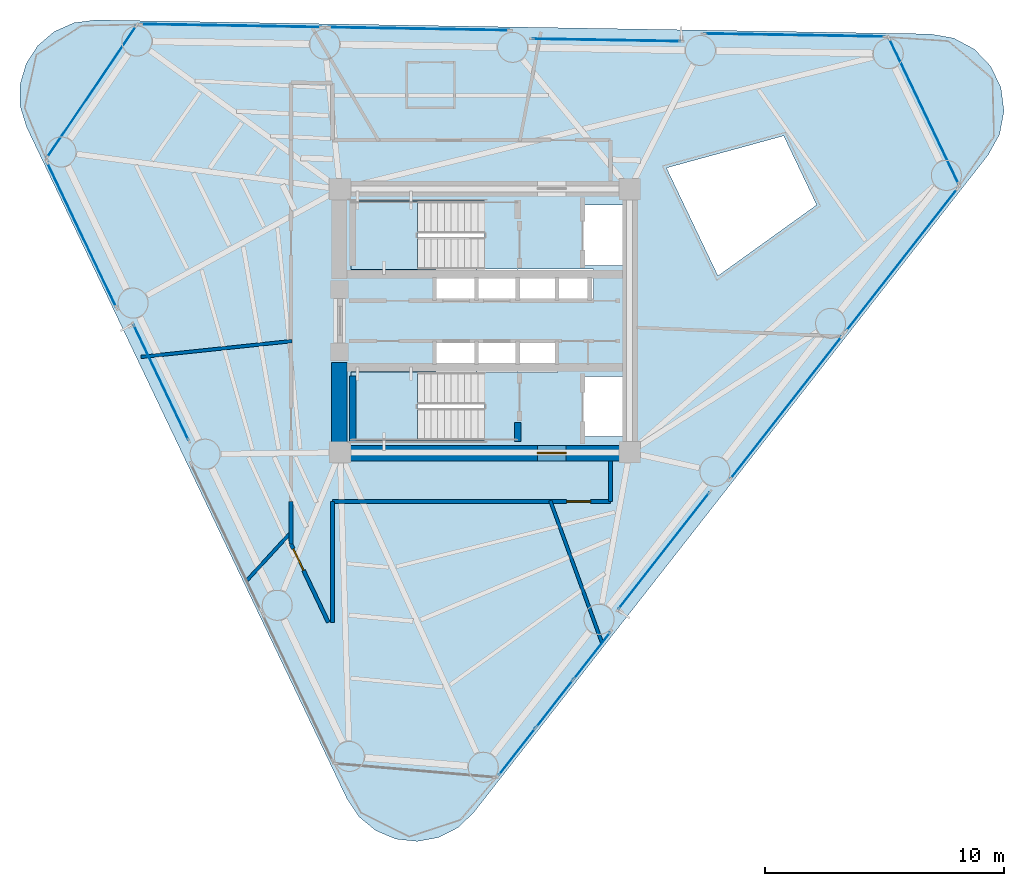
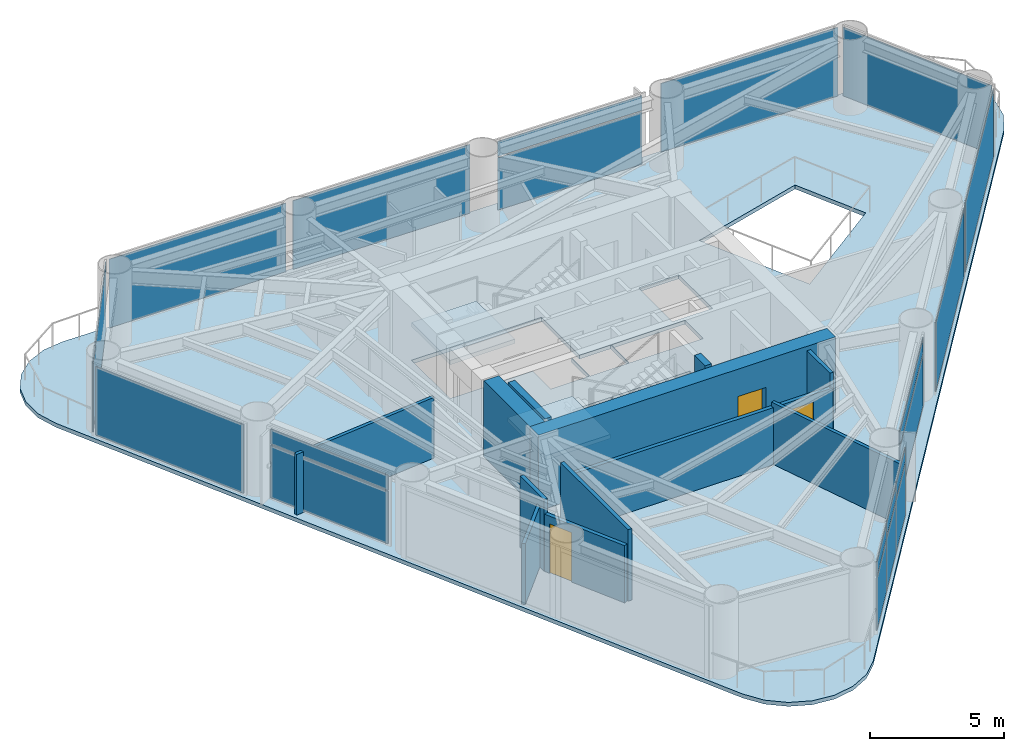
# One storey, part 5 of 10: 20 plates, 12 walls, 3 doors, 3 slabs, 3 openings, 14 elements without a shape of their own.
"""IFC4 building model written with IfcOpenShell, lengths in metres."""

from ifc_helpers import new_model, si_unit, direction, frame, frame_2d, origin, origin_2d, place, context, subcontext, project, spatial, polyline, rectangle, outline, extrude, source, transform, mapped, material, layer, layer_set, type_object, element, fill, aggregate, save


model = new_model("IFC4")

# Units and contexts
model_context = context("Model", 3, precision=1e-05, world=origin(), true_north=direction((0.0, 1.0)))
body_context = subcontext(model_context, "Body", "Model", "MODEL_VIEW")
ifc_project = project(units=[si_unit("LENGTHUNIT", "METRE"), si_unit("AREAUNIT", "SQUARE_METRE"), si_unit("VOLUMEUNIT", "CUBIC_METRE"), si_unit("PLANEANGLEUNIT", "RADIAN"), si_unit("MASSUNIT", "GRAM", prefix="KILO")], contexts=[model_context])

# Site, building, storey
site_placement = place(None, origin())
site = spatial("IfcSite", under=ifc_project, at=site_placement, CompositionType="ELEMENT")
building_placement = place(site_placement, origin())
building = spatial("IfcBuilding", under=site, at=building_placement, Name="Yunling Apex Tower", CompositionType="ELEMENT")
storey_placement = place(building_placement, frame((0.0, 0.0, 136.39990234375)))
storey = spatial("IfcBuildingStorey", under=building, at=storey_placement, Name="L33", CompositionType="ELEMENT", Elevation=136.39990234375)

# Slab
ifc_material_1 = material(Name="Concrete C40", Category="concrete")
ifc_layer_1 = layer(ifc_material_1, 0.1650390625)
ifc_layer_set_1 = layer_set([ifc_layer_1], Name="Concrete C40")
slab_type_1 = type_object("IfcSlabType", Name="SL-FLR-2", PredefinedType="FLOOR", material=ifc_layer_set_1)
slab_1_placement = place(storey_placement, frame((0.0, 0.0, -0.179931640625)))
element("IfcSlab", 1, at=slab_1_placement, inside=storey, type_object=slab_type_1, Name="L33 Composite Tower Floor Slab", PredefinedType="FLOOR", context=body_context, shape_type="SweptSolid", body=[
    extrude(outline(polyline([(-5.759765625, -19.970947265625), (-5.255615234375, -20.723388671875), (-4.55712890625, -21.300048828125), (-3.722900390625, -21.652587890625), (-2.82275390625, -21.75146484375), (-1.931884765625, -21.58837890625), (-1.125, -21.17724609375), (-0.469482421875, -20.55224609375), (21.029541015625, 6.926025390625), (21.5078125, 7.7900390625), (21.693115234375, 8.76025390625), (21.566650390625, 9.73974609375), (21.1416015625, 10.631103515625), (20.459716796875, 11.345703125), (19.58935546875, 11.812255859375), (18.616943359375, 11.984375), (-16.267578125, 12.569091796875), (-17.165771484375, 12.453125), (-17.9931640625, 12.084716796875), (-18.680419921875, 11.4951171875), (-19.170166015625, 10.733154296875), (-19.421142578125, 9.86279296875), (-19.41259765625, 8.957275390625), (-19.14501953125, 8.092041015625), (-5.759765625, -19.970947265625)]), holes=[polyline([(12.489013671875, 7.7294921875), (13.86669921875, 4.84130859375), (9.7412109375, 1.87646484375), (7.58837890625, 6.389404296875), (12.489013671875, 7.7294921875)]), polyline([(4.090087890625, -2.320068359375), (5.81005859375, -2.320068359375), (5.81005859375, -4.840087890625), (4.090087890625, -4.840087890625), (4.090087890625, -2.320068359375)]), polyline([(5.81005859375, 4.840087890625), (5.81005859375, 2.320068359375), (4.090087890625, 2.320068359375), (4.090087890625, 4.840087890625), (5.81005859375, 4.840087890625)]), polyline([(1.364990234375, 2.1650390625), (4.534912109375, 2.1650390625), (4.534912109375, 0.794921875), (1.364990234375, 0.794921875), (1.364990234375, 2.1650390625)]), polyline([(3.034912109375, -0.794921875), (3.034912109375, -2.1650390625), (1.364990234375, -2.1650390625), (1.364990234375, -0.794921875), (3.034912109375, -0.794921875)]), polyline([(-2.034912109375, -0.794921875), (-0.364990234375, -0.794921875), (-0.364990234375, -2.139892578125), (-0.3349609375, -2.139892578125), (-0.3349609375, -0.794921875), (1.3349609375, -0.794921875), (1.3349609375, -2.1650390625), (-0.010009765625, -2.1650390625), (-0.010009765625, -5.010009765625), (-5.60009765625, -5.010009765625), (-5.60009765625, -2.139892578125), (-2.034912109375, -2.139892578125), (-2.034912109375, -0.794921875)]), polyline([(-5.60009765625, 2.139892578125), (-5.60009765625, 5.010009765625), (-0.010009765625, 5.010009765625), (-0.010009765625, 2.1650390625), (1.3349609375, 2.1650390625), (1.3349609375, 0.794921875), (-0.3349609375, 0.794921875), (-0.3349609375, 2.139892578125), (-0.364990234375, 2.139892578125), (-0.364990234375, 0.794921875), (-2.034912109375, 0.794921875), (-2.034912109375, 2.139892578125), (-5.60009765625, 2.139892578125)])]), origin(), (0.0, 0.0, 1.0), 0.179931640625),
])

# Stair, slab
stair_type = type_object("IfcStairType", Name="ST-TWR-2", PredefinedType="HALF_TURN_STAIR", material=ifc_material_1)
stair_1_placement = place(storey_placement, origin())
stair_1 = element("IfcStair", 2, at=stair_1_placement, inside=storey, type_object=stair_type, Name="L33 North Core Smokeproof Exit Stair ST-1", PredefinedType="HALF_TURN_STAIR")
ifc_layer_2 = layer(ifc_material_1, 0.195068359375)
ifc_layer_set_2 = layer_set([ifc_layer_2], Name="Concrete C40")
slab_type_2 = type_object("IfcSlabType", Name="SL-LND-1", PredefinedType="LANDING", material=ifc_layer_set_2)
slab_2_placement = place(storey_placement, frame((0.0, 0.0, 1.530029296875)))
slab_2 = element("IfcSlab", 3, at=slab_2_placement, type_object=slab_type_2, Name="ST-1 landing 1", PredefinedType="LANDING", context=body_context, shape_type="SweptSolid", body=[
    extrude(outline(polyline([(-2.81005859375, 5.010009765625), (-5.60009765625, 5.010009765625), (-5.60009765625, 2.139892578125), (-2.81005859375, 2.139892578125), (-2.81005859375, 5.010009765625)])), origin(), (0.0, 0.0, 1.0), 0.195068359375),
])
aggregate(stair_1, [slab_2])

stair_2_placement = place(storey_placement, origin())
stair_2 = element("IfcStair", 4, at=stair_2_placement, inside=storey, type_object=stair_type, Name="L33 South Core Smokeproof Exit Stair ST-2", PredefinedType="HALF_TURN_STAIR")
slab_3_placement = place(storey_placement, frame((0.0, 0.0, 1.530029296875)))
slab_3 = element("IfcSlab", 5, at=slab_3_placement, type_object=slab_type_2, Name="ST-2 landing 1", PredefinedType="LANDING", context=body_context, shape_type="SweptSolid", body=[
    extrude(outline(polyline([(-2.81005859375, -2.139892578125), (-5.60009765625, -2.139892578125), (-5.60009765625, -5.010009765625), (-2.81005859375, -5.010009765625), (-2.81005859375, -2.139892578125)])), origin(), (0.0, 0.0, 1.0), 0.195068359375),
])
aggregate(stair_2, [slab_3])

# Curtain wall, plates
ifc_material_2 = material(Name="Bronze anodised aluminium", Category="aluminium")
ifc_layer_3 = layer(ifc_material_2, 0.239990234375)
ifc_layer_set_3 = layer_set([ifc_layer_3], Name="Bronze anodised aluminium")
curtain_wall_type = type_object("IfcCurtainWallType", Name="CW-SYS-3", PredefinedType="NOTDEFINED", material=ifc_layer_set_3)
curtain_wall_1_placement = place(storey_placement, origin())
curtain_wall_1 = element("IfcCurtainWall", 6, at=curtain_wall_1_placement, inside=storey, type_object=curtain_wall_type, Name="CW-L33-F1-B1", PredefinedType="NOTDEFINED")
ifc_material_3 = material(Name="Bronze tinted low-E glass", Category="glass")
ifc_layer_4 = layer(ifc_material_3, 0.031982421875)
ifc_layer_set_4 = layer_set([ifc_layer_4], Name="Bronze tinted low-E glass")
plate_type = type_object("IfcPlateType", Name="CW-PNL-3", PredefinedType="CURTAIN_PANEL", material=ifc_layer_set_4)
shared_shape_1 = source(origin(), body_context, "Body", "SweptSolid", [
    extrude(rectangle(XDim=2.45947265625, YDim=0.031982421875, at=origin_2d()), origin(), (0.0, 0.0, 1.0), 2.381103515625),
])
plate_1_placement = place(storey_placement, frame((1.3466796875, -18.00390625, 0.072265625), z_axis=(0.0, 0.0, 1.0), x_axis=(0.616207626377, 0.787583748686, 0.0)))
plate_1 = element("IfcPlate", 7, at=plate_1_placement, type_object=plate_type, Name="CW-SYS-3 panel 1.1", PredefinedType="CURTAIN_PANEL", context=body_context, shape_type="MappedRepresentation", body=[
    mapped(shared_shape_1, transform((0.0, 0.0, 0.0), scale=1.0)),
])
plate_2_placement = place(storey_placement, frame((4.481201171875, -13.99755859375, 0.072265625), z_axis=(0.0, 0.0, 1.0), x_axis=(0.616207626377, 0.787583748686, 0.0)))
plate_2 = element("IfcPlate", 8, at=plate_2_placement, type_object=plate_type, Name="CW-SYS-3 panel 3.1", PredefinedType="CURTAIN_PANEL", context=body_context, shape_type="MappedRepresentation", body=[
    mapped(shared_shape_1, transform((0.0, 0.0, 0.0), scale=1.0)),
])
shared_shape_2 = source(origin(), body_context, "Body", "SweptSolid", [
    extrude(rectangle(XDim=2.45947265625, YDim=0.031982421875, at=origin_2d()), origin(), (0.0, 0.0, 1.0), 0.680908203125),
])
plate_3_placement = place(storey_placement, frame((1.3466796875, -18.00390625, 2.51708984375), z_axis=(0.0, 0.0, 1.0), x_axis=(0.616207626377, 0.787583748686, 0.0)))
plate_3 = element("IfcPlate", 9, at=plate_3_placement, type_object=plate_type, Name="CW-SYS-3 panel 1.2", PredefinedType="CURTAIN_PANEL", context=body_context, shape_type="MappedRepresentation", body=[
    mapped(shared_shape_2, transform((0.0, 0.0, 0.0), scale=1.0)),
])
plate_4_placement = place(storey_placement, frame((4.481201171875, -13.99755859375, 2.51708984375), z_axis=(0.0, 0.0, 1.0), x_axis=(0.616207626377, 0.787583748686, 0.0)))
plate_4 = element("IfcPlate", 10, at=plate_4_placement, type_object=plate_type, Name="CW-SYS-3 panel 3.2", PredefinedType="CURTAIN_PANEL", context=body_context, shape_type="MappedRepresentation", body=[
    mapped(shared_shape_2, transform((0.0, 0.0, 0.0), scale=1.0)),
])
shared_shape_3 = source(origin(), body_context, "Body", "SweptSolid", [
    extrude(rectangle(XDim=2.499267578125, YDim=0.031982421875, at=origin_2d()), origin(), (0.0, 0.0, 1.0), 2.381103515625),
])
plate_5_placement = place(storey_placement, frame((2.913818359375, -16.000732421875, 0.072265625), z_axis=(0.0, 0.0, 1.0), x_axis=(0.616207626377, 0.787583748686, 0.0)))
plate_5 = element("IfcPlate", 11, at=plate_5_placement, type_object=plate_type, Name="CW-SYS-3 panel 2.1", PredefinedType="CURTAIN_PANEL", context=body_context, shape_type="MappedRepresentation", body=[
    mapped(shared_shape_3, transform((0.0, 0.0, 0.0), scale=1.0)),
])
shared_shape_4 = source(origin(), body_context, "Body", "SweptSolid", [
    extrude(rectangle(XDim=2.499267578125, YDim=0.031982421875, at=origin_2d()), origin(), (0.0, 0.0, 1.0), 0.680908203125),
])
plate_6_placement = place(storey_placement, frame((2.913818359375, -16.000732421875, 2.51708984375), z_axis=(0.0, 0.0, 1.0), x_axis=(0.616207626377, 0.787583748686, 0.0)))
plate_6 = element("IfcPlate", 12, at=plate_6_placement, type_object=plate_type, Name="CW-SYS-3 panel 2.2", PredefinedType="CURTAIN_PANEL", context=body_context, shape_type="MappedRepresentation", body=[
    mapped(shared_shape_4, transform((0.0, 0.0, 0.0), scale=1.0)),
])
aggregate(curtain_wall_1, [plate_1, plate_3, plate_5, plate_6, plate_2, plate_4])

curtain_wall_2_placement = place(storey_placement, origin())
curtain_wall_2 = element("IfcCurtainWall", 13, at=curtain_wall_2_placement, inside=storey, type_object=curtain_wall_type, Name="CW-L33-F1-B2", PredefinedType="NOTDEFINED")
shared_shape_5 = source(origin(), body_context, "Body", "SweptSolid", [
    extrude(rectangle(XDim=6.166015625, YDim=0.031982421875, at=origin_2d()), origin(), (0.0, 0.0, 1.0), 2.381103515625),
])
plate_7_placement = place(storey_placement, frame((7.4833984375, -9.608642578125, 0.072265625), z_axis=(0.0, 0.0, 1.0), x_axis=(0.616199292419, 0.787590269126, 0.0)))
plate_7 = element("IfcPlate", 14, at=plate_7_placement, type_object=plate_type, Name="CW-SYS-3 panel 1.1", PredefinedType="CURTAIN_PANEL", context=body_context, shape_type="MappedRepresentation", body=[
    mapped(shared_shape_5, transform((0.0, 0.0, 0.0), scale=1.0)),
])
shared_shape_6 = source(origin(), body_context, "Body", "SweptSolid", [
    extrude(rectangle(XDim=6.166015625, YDim=0.031982421875, at=origin_2d()), origin(), (0.0, 0.0, 1.0), 0.680908203125),
])
plate_8_placement = place(storey_placement, frame((7.4833984375, -9.608642578125, 2.51708984375), z_axis=(0.0, 0.0, 1.0), x_axis=(0.616199292419, 0.787590269126, 0.0)))
plate_8 = element("IfcPlate", 15, at=plate_8_placement, type_object=plate_type, Name="CW-SYS-3 panel 1.2", PredefinedType="CURTAIN_PANEL", context=body_context, shape_type="MappedRepresentation", body=[
    mapped(shared_shape_6, transform((0.0, 0.0, 0.0), scale=1.0)),
])
aggregate(curtain_wall_2, [plate_7, plate_8])

# Curtain wall, plate
curtain_wall_3_placement = place(storey_placement, origin())
curtain_wall_3 = element("IfcCurtainWall", 16, at=curtain_wall_3_placement, inside=storey, type_object=curtain_wall_type, Name="CW-L33-F1-B3", PredefinedType="NOTDEFINED")
shared_shape_7 = source(origin(), body_context, "Body", "SweptSolid", [
    extrude(rectangle(XDim=7.546142578125, YDim=0.031982421875, at=origin_2d()), origin(), (0.0, 0.0, 1.0), 3.1259765625),
])
plate_9_placement = place(storey_placement, frame((12.58837890625, -3.635498046875, 0.072021484375), z_axis=(0.0, 0.0, 1.0), x_axis=(0.616207626377, 0.787583748686, 0.0)))
plate_9 = element("IfcPlate", 17, at=plate_9_placement, type_object=plate_type, Name="CW-SYS-3 panel 1.1", PredefinedType="CURTAIN_PANEL", context=body_context, shape_type="MappedRepresentation", body=[
    mapped(shared_shape_7, transform((0.0, 0.0, 0.0), scale=1.0)),
])
aggregate(curtain_wall_3, [plate_9])

curtain_wall_4_placement = place(storey_placement, origin())
curtain_wall_4 = element("IfcCurtainWall", 18, at=curtain_wall_4_placement, inside=storey, type_object=curtain_wall_type, Name="CW-L33-F1-B4", PredefinedType="NOTDEFINED")
plate_10_placement = place(storey_placement, frame((17.425537109375, 2.547119140625, 0.072021484375), z_axis=(0.0, 0.0, 1.0), x_axis=(0.616207626377, 0.787583748686, 0.0)))
plate_10 = element("IfcPlate", 19, at=plate_10_placement, type_object=plate_type, Name="CW-SYS-3 panel 1.1", PredefinedType="CURTAIN_PANEL", context=body_context, shape_type="MappedRepresentation", body=[
    mapped(shared_shape_7, transform((0.0, 0.0, 0.0), scale=1.0)),
])
aggregate(curtain_wall_4, [plate_10])

curtain_wall_5_placement = place(storey_placement, origin())
curtain_wall_5 = element("IfcCurtainWall", 20, at=curtain_wall_5_placement, inside=storey, type_object=curtain_wall_type, Name="CW-L33-F2-B1", PredefinedType="NOTDEFINED")
plate_11_placement = place(storey_placement, frame((12.94580078125, 11.939453125, 0.072021484375), z_axis=(0.0, 0.0, 1.0), x_axis=(-0.99985951392, 0.016761635477, 0.0)))
plate_11 = element("IfcPlate", 21, at=plate_11_placement, type_object=plate_type, Name="CW-SYS-3 panel 1.1", PredefinedType="CURTAIN_PANEL", context=body_context, shape_type="MappedRepresentation", body=[
    mapped(shared_shape_7, transform((0.0, 0.0, 0.0), scale=1.0)),
])
aggregate(curtain_wall_5, [plate_11])

curtain_wall_6_placement = place(storey_placement, origin())
curtain_wall_6 = element("IfcCurtainWall", 22, at=curtain_wall_6_placement, inside=storey, type_object=curtain_wall_type, Name="CW-L33-F2-B3", PredefinedType="NOTDEFINED")
plate_12_placement = place(storey_placement, frame((-2.752197265625, 12.20263671875, 0.072021484375), z_axis=(0.0, 0.0, 1.0), x_axis=(-0.99985951392, 0.016761635477, 0.0)))
plate_12 = element("IfcPlate", 23, at=plate_12_placement, type_object=plate_type, Name="CW-SYS-3 panel 1.1", PredefinedType="CURTAIN_PANEL", context=body_context, shape_type="MappedRepresentation", body=[
    mapped(shared_shape_7, transform((0.0, 0.0, 0.0), scale=1.0)),
])
aggregate(curtain_wall_6, [plate_12])

curtain_wall_7_placement = place(storey_placement, origin())
curtain_wall_7 = element("IfcCurtainWall", 24, at=curtain_wall_7_placement, inside=storey, type_object=curtain_wall_type, Name="CW-L33-F2-B4", PredefinedType="NOTDEFINED")
plate_13_placement = place(storey_placement, frame((-10.60107421875, 12.334228515625, 0.072021484375), z_axis=(0.0, 0.0, 1.0), x_axis=(-0.99985951392, 0.016761635477, 0.0)))
plate_13 = element("IfcPlate", 25, at=plate_13_placement, type_object=plate_type, Name="CW-SYS-3 panel 1.1", PredefinedType="CURTAIN_PANEL", context=body_context, shape_type="MappedRepresentation", body=[
    mapped(shared_shape_7, transform((0.0, 0.0, 0.0), scale=1.0)),
])
aggregate(curtain_wall_7, [plate_13])

curtain_wall_8_placement = place(storey_placement, origin())
curtain_wall_8 = element("IfcCurtainWall", 26, at=curtain_wall_8_placement, inside=storey, type_object=curtain_wall_type, Name="CW-L33-CRN1", PredefinedType="NOTDEFINED")
shared_shape_8 = source(origin(), body_context, "Body", "SweptSolid", [
    extrude(rectangle(XDim=6.728271484375, YDim=0.031982421875, at=origin_2d()), origin(), (0.0, 0.0, 1.0), 3.1259765625),
])
plate_14_placement = place(storey_placement, frame((18.349365234375, 8.752197265625, 0.072021484375), z_axis=(0.0, 0.0, 1.0), x_axis=(-0.430518667458, 0.902581673296, 0.0)))
plate_14 = element("IfcPlate", 27, at=plate_14_placement, type_object=plate_type, Name="CW-SYS-3 panel 1.1", PredefinedType="CURTAIN_PANEL", context=body_context, shape_type="MappedRepresentation", body=[
    mapped(shared_shape_8, transform((0.0, 0.0, 0.0), scale=1.0)),
])
aggregate(curtain_wall_8, [plate_14])

# Curtain wall, plates
curtain_wall_9_placement = place(storey_placement, origin())
curtain_wall_9 = element("IfcCurtainWall", 28, at=curtain_wall_9_placement, inside=storey, type_object=curtain_wall_type, Name="CW-L33-F2-B2", PredefinedType="NOTDEFINED")
shared_shape_9 = source(origin(), body_context, "Body", "SweptSolid", [
    extrude(rectangle(XDim=6.166259765625, YDim=0.031982421875, at=origin_2d()), origin(), (0.0, 0.0, 1.0), 2.381103515625),
])
plate_15_placement = place(storey_placement, frame((5.091064453125, 11.73095703125, 0.072265625), z_axis=(0.0, 0.0, 1.0), x_axis=(-0.999859431696, 0.016766539529, 0.0)))
plate_15 = element("IfcPlate", 29, at=plate_15_placement, type_object=plate_type, Name="CW-SYS-3 panel 1.1", PredefinedType="CURTAIN_PANEL", context=body_context, shape_type="MappedRepresentation", body=[
    mapped(shared_shape_9, transform((0.0, 0.0, 0.0), scale=1.0)),
])
shared_shape_10 = source(origin(), body_context, "Body", "SweptSolid", [
    extrude(rectangle(XDim=6.166259765625, YDim=0.031982421875, at=origin_2d()), origin(), (0.0, 0.0, 1.0), 0.680908203125),
])
plate_16_placement = place(storey_placement, frame((5.091064453125, 11.73095703125, 2.51708984375), z_axis=(0.0, 0.0, 1.0), x_axis=(-0.999859431696, 0.016766539529, 0.0)))
plate_16 = element("IfcPlate", 30, at=plate_16_placement, type_object=plate_type, Name="CW-SYS-3 panel 1.2", PredefinedType="CURTAIN_PANEL", context=body_context, shape_type="MappedRepresentation", body=[
    mapped(shared_shape_10, transform((0.0, 0.0, 0.0), scale=1.0)),
])
aggregate(curtain_wall_9, [plate_15, plate_16])

# Curtain wall, plate
curtain_wall_10_placement = place(storey_placement, origin())
curtain_wall_10 = element("IfcCurtainWall", 31, at=curtain_wall_10_placement, inside=storey, type_object=curtain_wall_type, Name="CW-L33-CRN2", PredefinedType="NOTDEFINED")
shared_shape_11 = source(origin(), body_context, "Body", "SweptSolid", [
    extrude(rectangle(XDim=6.644775390625, YDim=0.031982421875, at=origin_2d()), origin(), (0.0, 0.0, 1.0), 3.1259765625),
])
plate_17_placement = place(storey_placement, frame((-16.4287109375, 9.56884765625, 0.072021484375), z_axis=(0.0, 0.0, 1.0), x_axis=(-0.560523052964, -0.82813882115, 0.0)))
plate_17 = element("IfcPlate", 32, at=plate_17_placement, type_object=plate_type, Name="CW-SYS-3 panel 1.1", PredefinedType="CURTAIN_PANEL", context=body_context, shape_type="MappedRepresentation", body=[
    mapped(shared_shape_11, transform((0.0, 0.0, 0.0), scale=1.0)),
])
aggregate(curtain_wall_10, [plate_17])

curtain_wall_11_placement = place(storey_placement, origin())
curtain_wall_11 = element("IfcCurtainWall", 33, at=curtain_wall_11_placement, inside=storey, type_object=curtain_wall_type, Name="CW-L33-F3-B1", PredefinedType="NOTDEFINED")
shared_shape_12 = source(origin(), body_context, "Body", "SweptSolid", [
    extrude(rectangle(XDim=6.691650390625, YDim=0.031982421875, at=origin_2d()), origin(), (0.0, 0.0, 1.0), 3.1259765625),
])
plate_18_placement = place(storey_placement, frame((-16.843505859375, 3.592041015625, 0.072021484375), z_axis=(0.0, 0.0, 1.0), x_axis=(0.4305058957, -0.902587765133, 0.0)))
plate_18 = element("IfcPlate", 34, at=plate_18_placement, type_object=plate_type, Name="CW-SYS-3 panel 1.1", PredefinedType="CURTAIN_PANEL", context=body_context, shape_type="MappedRepresentation", body=[
    mapped(shared_shape_12, transform((0.0, 0.0, 0.0), scale=1.0)),
])
aggregate(curtain_wall_11, [plate_18])

# Curtain wall, plates
curtain_wall_12_placement = place(storey_placement, origin())
curtain_wall_12 = element("IfcCurtainWall", 35, at=curtain_wall_12_placement, inside=storey, type_object=curtain_wall_type, Name="CW-L33-F3-B2", PredefinedType="NOTDEFINED")
shared_shape_13 = source(origin(), body_context, "Body", "SweptSolid", [
    extrude(rectangle(XDim=5.311767578125, YDim=0.031982421875, at=origin_2d()), origin(), (0.0, 0.0, 1.0), 2.381103515625),
])
plate_19_placement = place(storey_placement, frame((-13.52490234375, -2.57568359375, 0.072265625), z_axis=(0.0, 0.0, 1.0), x_axis=(0.430522606859, -0.902579794247, 0.0)))
plate_19 = element("IfcPlate", 36, at=plate_19_placement, type_object=plate_type, Name="CW-SYS-3 panel 1.1", PredefinedType="CURTAIN_PANEL", context=body_context, shape_type="MappedRepresentation", body=[
    mapped(shared_shape_13, transform((0.0, 0.0, 0.0), scale=1.0)),
])
shared_shape_14 = source(origin(), body_context, "Body", "SweptSolid", [
    extrude(rectangle(XDim=5.311767578125, YDim=0.031982421875, at=origin_2d()), origin(), (0.0, 0.0, 1.0), 0.680908203125),
])
plate_20_placement = place(storey_placement, frame((-13.52490234375, -2.57568359375, 2.51708984375), z_axis=(0.0, 0.0, 1.0), x_axis=(0.430522606859, -0.902579794247, 0.0)))
plate_20 = element("IfcPlate", 37, at=plate_20_placement, type_object=plate_type, Name="CW-SYS-3 panel 1.2", PredefinedType="CURTAIN_PANEL", context=body_context, shape_type="MappedRepresentation", body=[
    mapped(shared_shape_14, transform((0.0, 0.0, 0.0), scale=1.0)),
])
aggregate(curtain_wall_12, [plate_19, plate_20])

# Wall, opening, door
ifc_material_4 = material(Name="Concrete C50", Category="concrete")
ifc_layer_5 = layer(ifc_material_4, 0.64990234375)
ifc_layer_set_5 = layer_set([ifc_layer_5], Name="Concrete C50")
wall_type_1 = type_object("IfcWallType", Name="WL-COR-2", PredefinedType="SHEAR", material=ifc_layer_set_5)
wall_1_placement = place(storey_placement, frame((-6.39990234375, -5.52490234375, 0.0), z_axis=(0.0, 0.0, 1.0), x_axis=(1.0, 0.0, 0.0)))
wall_1 = element("IfcWall", 38, at=wall_1_placement, inside=storey, type_object=wall_type_1, Name="L33 South Core Shear Wall", PredefinedType="SHEAR", context=body_context, shape_type="SweptSolid", body=[
    extrude(rectangle(XDim=12.7998046875, YDim=0.64990234375, at=frame_2d((6.39990234375, 0.0))), origin(), (0.0, 0.0, 1.0), 3.4501953125),
])
opening_1_placement = place(wall_1_placement, frame((8.60009765625, 0.0, 0.0)))
opening_1 = element("IfcOpeningElement", 39, at=opening_1_placement, cuts=wall_1, Name="Opening DR-FFL-1", PredefinedType="OPENING", context=body_context, shape_type="SweptSolid", body=[
    extrude(rectangle(XDim=1.199951171875, YDim=2.199951171875, at=frame_2d((0.60009765625, 1.10009765625))), frame((0.0, 0.3349609375, 0.0), z_axis=(0.0, -1.0, 0.0), x_axis=(1.0, 0.0, 0.0)), (0.0, 0.0, 1.0), 0.669921875),
])
ifc_material_5 = material(Name="Steel Q355B", Category="steel")
door_type_1 = type_object("IfcDoorType", Name="DR-FFL-1", OperationType="NOTDEFINED", PredefinedType="DOOR", material=ifc_material_5)
door_1_placement = place(opening_1_placement, origin())
door_1 = element("IfcDoor", 40, at=door_1_placement, inside=storey, type_object=door_type_1, Name="L33 South Firefighting Lobby Door", OperationType="SINGLE_SWING_RIGHT", OverallHeight=2.199951171875, OverallWidth=1.199951171875, PredefinedType="DOOR", context=body_context, shape_type="SweptSolid", body=[
    extrude(rectangle(XDim=1.199951171875, YDim=2.199951171875, at=frame_2d((0.60009765625, 1.10009765625))), frame((0.0, 0.02490234375, 0.0), z_axis=(0.0, -1.0, 0.0), x_axis=(1.0, 0.0, 0.0)), (0.0, 0.0, 1.0), 0.050048828125),
])
fill(opening_1, door_1)

# Walls
wall_2_placement = place(storey_placement, frame((-6.074951171875, -5.199951171875, 0.0), z_axis=(0.0, 0.0, 1.0), x_axis=(0.0, 1.0, 0.0)))
element("IfcWall", 41, at=wall_2_placement, inside=storey, type_object=wall_type_1, Name="L33 West-South Core Shear Wall", PredefinedType="SHEAR", context=body_context, shape_type="SweptSolid", body=[
    extrude(rectangle(XDim=3.449951171875, YDim=0.64990234375, at=frame_2d((1.72509765625, 0.0))), origin(), (0.0, 0.0, 1.0), 3.4501953125),
])
ifc_layer_6 = layer(ifc_material_1, 0.280029296875)
ifc_layer_set_6 = layer_set([ifc_layer_6], Name="Concrete C40")
wall_type_2 = type_object("IfcWallType", Name="WL-COR-8", PredefinedType="SHEAR", material=ifc_layer_set_6)
wall_3_placement = place(storey_placement, frame((-5.52001953125, -5.050048828125, 0.0), z_axis=(0.0, 0.0, 1.0), x_axis=(0.0, 1.0, 0.0)))
element("IfcWall", 42, at=wall_3_placement, inside=storey, type_object=wall_type_2, Name="L33 ST-2 West Landing Bearing Wall", PredefinedType="SHEAR", context=body_context, shape_type="SweptSolid", body=[
    extrude(rectangle(XDim=2.75, YDim=0.280029296875, at=frame_2d((1.375, 0.0))), origin(), (0.0, 0.0, 1.0), 3.4501953125),
])
wall_4_placement = place(storey_placement, frame((1.3798828125, -5.050048828125, 0.0), z_axis=(0.0, 0.0, 1.0), x_axis=(0.0, 1.0, 0.0)))
element("IfcWall", 43, at=wall_4_placement, inside=storey, type_object=wall_type_2, Name="L33 ST-2 East Landing Bearing Pier", PredefinedType="SHEAR", context=body_context, shape_type="SweptSolid", body=[
    extrude(rectangle(XDim=0.800048828125, YDim=0.280029296875, at=frame_2d((0.39990234375, 0.0))), origin(), (0.0, 0.0, 1.0), 3.4501953125),
])

# Wall, opening, door
ifc_material_6 = material(Name="Gypsum board acoustic partition")
ifc_layer_7 = layer(ifc_material_6, 0.159912109375)
ifc_layer_set_7 = layer_set([ifc_layer_7], Name="Gypsum board acoustic partition")
wall_type_3 = type_object("IfcWallType", Name="WL-PRT-1", PredefinedType="PARTITIONING", material=ifc_layer_set_7)
wall_5_placement = place(storey_placement, frame((-6.538818359375, -12.60009765625, 0.0), z_axis=(0.0, 0.0, 1.0), x_axis=(-0.430521464151, 0.902580339308, 0.0)))
wall_5 = element("IfcWall", 44, at=wall_5_placement, inside=storey, type_object=wall_type_3, Name="WL-CORR-L33-01", PredefinedType="PARTITIONING", context=body_context, shape_type="SweptSolid", body=[
    extrude(rectangle(XDim=3.62646484375, YDim=0.159912109375, at=frame_2d((1.813232421875, 0.0))), origin(), (0.0, 0.0, 1.0), 2.60498046875),
])
opening_2_placement = place(wall_5_placement, frame((2.40625, 0.0, 0.0)))
opening_2 = element("IfcOpeningElement", 45, at=opening_2_placement, cuts=wall_5, Name="Opening DR-OFF-1", PredefinedType="OPENING", context=body_context, shape_type="SweptSolid", body=[
    extrude(rectangle(XDim=1.0, YDim=2.25, at=frame_2d((0.5, 1.125))), frame((0.0, 0.08984375, 0.0), z_axis=(0.0, -1.0, 0.0), x_axis=(1.0, 0.0, 0.0)), (0.0, 0.0, 1.0), 0.179931640625),
])
door_type_2 = type_object("IfcDoorType", Name="DR-OFF-1", OperationType="NOTDEFINED", PredefinedType="DOOR", material=ifc_material_2)
door_2_placement = place(opening_2_placement, origin())
door_2 = element("IfcDoor", 46, at=door_2_placement, inside=storey, type_object=door_type_2, Name="L33 Guest Reading Lounge Door", OperationType="SINGLE_SWING_RIGHT", OverallHeight=2.25, OverallWidth=1.0, PredefinedType="DOOR", context=body_context, shape_type="SweptSolid", body=[
    extrude(rectangle(XDim=1.0, YDim=2.25, at=frame_2d((0.5, 1.125))), frame((0.0, 0.02490234375, 0.0), z_axis=(0.0, -1.0, 0.0), x_axis=(1.0, 0.0, 0.0)), (0.0, 0.0, 1.0), 0.050048828125),
])
fill(opening_2, door_2)

# Walls
wall_6_placement = place(storey_placement, frame((-8.10009765625, -9.326904296875, 0.0), z_axis=(0.0, 0.0, 1.0), x_axis=(0.0, 1.0, 0.0)))
element("IfcWall", 47, at=wall_6_placement, inside=storey, type_object=wall_type_3, Name="WL-CORR-L33-02", PredefinedType="PARTITIONING", context=body_context, shape_type="SweptSolid", body=[
    extrude(rectangle(XDim=1.77685546875, YDim=0.159912109375, at=frame_2d((0.888427734375, 0.0))), origin(), (0.0, 0.0, 1.0), 3.25),
])
wall_7_placement = place(storey_placement, frame((5.25, -5.85009765625, 0.0), z_axis=(0.0, 0.0, 1.0), x_axis=(0.0, -1.0, 0.0)))
element("IfcWall", 48, at=wall_7_placement, inside=storey, type_object=wall_type_3, Name="WL-CORR-L33-09", PredefinedType="PARTITIONING", context=body_context, shape_type="SweptSolid", body=[
    extrude(rectangle(XDim=1.699951171875, YDim=0.159912109375, at=frame_2d((0.85009765625, 0.0))), origin(), (0.0, 0.0, 1.0), 3.25),
])

# Wall, opening, door
wall_8_placement = place(storey_placement, frame((5.25, -7.550048828125, 0.0), z_axis=(0.0, 0.0, 1.0), x_axis=(-1.0, 0.0, 0.0)))
wall_8 = element("IfcWall", 49, at=wall_8_placement, inside=storey, type_object=wall_type_3, Name="WL-CORR-L33-10", PredefinedType="PARTITIONING", context=body_context, shape_type="SweptSolid", body=[
    extrude(rectangle(XDim=11.610107421875, YDim=0.159912109375, at=frame_2d((5.80517578125, 0.0))), origin(), (0.0, 0.0, 1.0), 2.60498046875),
])
opening_3_placement = place(wall_8_placement, frame((0.827880859375, 0.0, 0.0)))
opening_3 = element("IfcOpeningElement", 50, at=opening_3_placement, cuts=wall_8, Name="Opening DR-OFF-1", PredefinedType="OPENING", context=body_context, shape_type="SweptSolid", body=[
    extrude(rectangle(XDim=1.0, YDim=2.25, at=frame_2d((0.5, 1.125))), frame((0.0, 0.08984375, 0.0), z_axis=(0.0, -1.0, 0.0), x_axis=(1.0, 0.0, 0.0)), (0.0, 0.0, 1.0), 0.179931640625),
])
door_3_placement = place(opening_3_placement, origin())
door_3 = element("IfcDoor", 51, at=door_3_placement, inside=storey, type_object=door_type_2, Name="L33 Guest Study Lounge Door", OperationType="SINGLE_SWING_LEFT", OverallHeight=2.25, OverallWidth=1.0, PredefinedType="DOOR", context=body_context, shape_type="SweptSolid", body=[
    extrude(rectangle(XDim=1.0, YDim=2.25, at=frame_2d((0.5, 1.125))), frame((0.0, 0.02490234375, 0.0), z_axis=(0.0, -1.0, 0.0), x_axis=(1.0, 0.0, 0.0)), (0.0, 0.0, 1.0), 0.050048828125),
])
fill(opening_3, door_3)

# Walls
wall_9_placement = place(storey_placement, frame((-6.360107421875, -7.550048828125, 0.0), z_axis=(0.0, 0.0, 1.0), x_axis=(0.0, -1.0, 0.0)))
element("IfcWall", 52, at=wall_9_placement, inside=storey, type_object=wall_type_3, Name="WL-CORR-L33-11", PredefinedType="PARTITIONING", context=body_context, shape_type="SweptSolid", body=[
    extrude(rectangle(XDim=5.050048828125, YDim=0.159912109375, at=frame_2d((2.52490234375, 0.0))), origin(), (0.0, 0.0, 1.0), 3.25),
])
ifc_layer_8 = layer(ifc_material_6, 0.139892578125)
ifc_layer_set_8 = layer_set([ifc_layer_8], Name="Gypsum board acoustic partition")
wall_type_4 = type_object("IfcWallType", Name="WL-PRT-2", PredefinedType="PARTITIONING", material=ifc_layer_set_8)
wall_10_placement = place(storey_placement, frame((-8.06005859375, -0.84716796875, 0.0), z_axis=(0.0, 0.0, 1.0), x_axis=(-0.994520422967, -0.104542471285, 0.0)))
element("IfcWall", 53, at=wall_10_placement, inside=storey, type_object=wall_type_4, Name="WL-RAD-L33-04", PredefinedType="PARTITIONING", context=body_context, shape_type="SweptSolid", body=[
    extrude(rectangle(XDim=6.34033203125, YDim=0.139892578125, at=frame_2d((3.170166015625, 0.0))), origin(), (0.0, 0.0, 1.0), 2.76513671875),
])
wall_11_placement = place(storey_placement, frame((-8.06005859375, -8.7958984375, 0.0), z_axis=(0.0, 0.0, 1.0), x_axis=(-0.67555207399, -0.737312278026, 0.0)))
element("IfcWall", 54, at=wall_11_placement, inside=storey, type_object=wall_type_4, Name="WL-RAD-L33-05", PredefinedType="PARTITIONING", context=body_context, shape_type="SweptSolid", body=[
    extrude(rectangle(XDim=2.75537109375, YDim=0.139892578125, at=frame_2d((1.377685546875, 0.0))), origin(), (0.0, 0.0, 1.0), 2.76513671875),
])
wall_12_placement = place(storey_placement, frame((2.7333984375, -7.510009765625, 0.0), z_axis=(0.0, 0.0, 1.0), x_axis=(0.342029891784, -0.93968907258, 0.0)))
element("IfcWall", 55, at=wall_12_placement, inside=storey, type_object=wall_type_4, Name="WL-RAD-L33-06", PredefinedType="PARTITIONING", context=body_context, shape_type="SweptSolid", body=[
    extrude(rectangle(XDim=6.287109375, YDim=0.139892578125, at=frame_2d((3.1435546875, 0.0))), origin(), (0.0, 0.0, 1.0), 2.80517578125),
])

save(model, "model.ifc")
